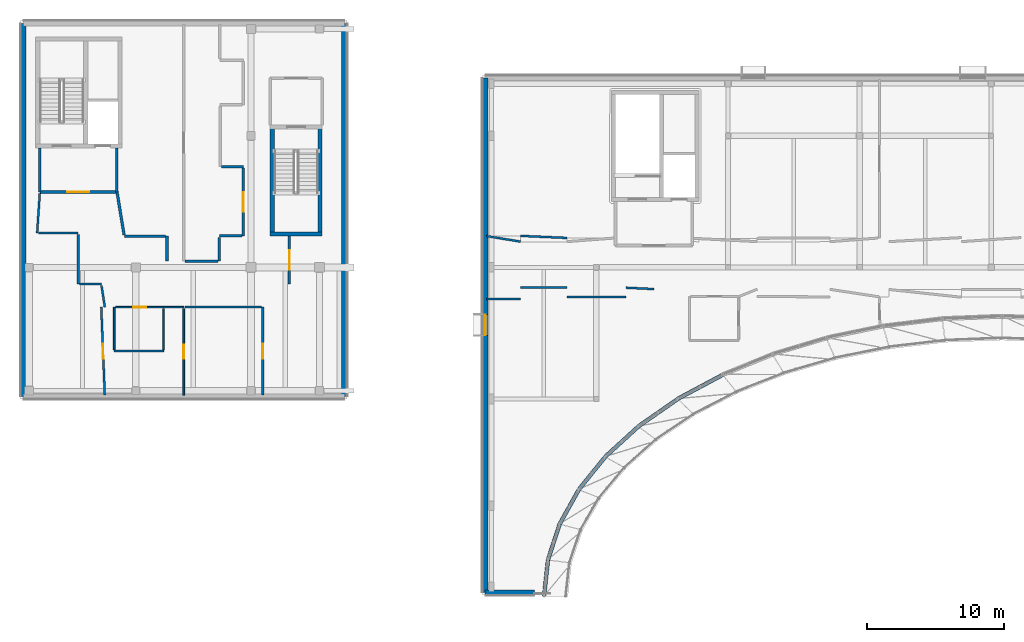
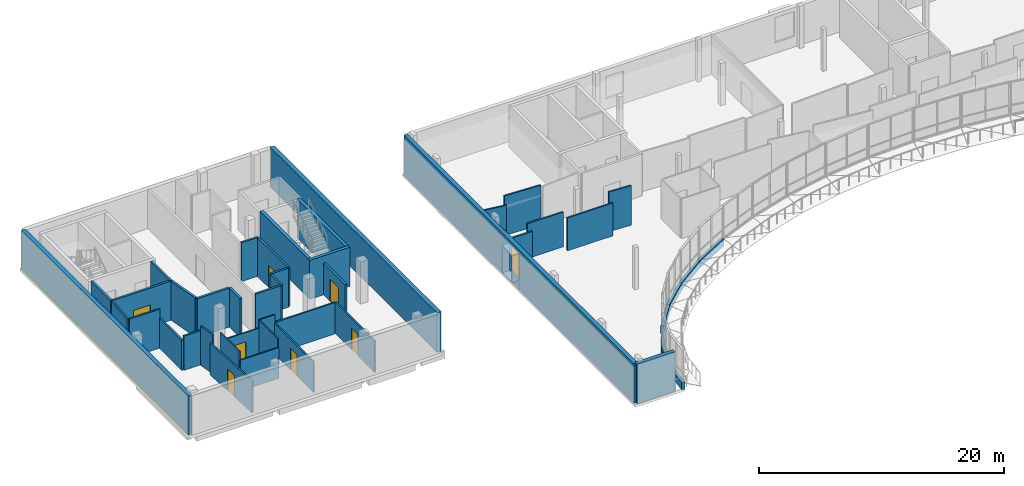
# One storey, part 11 of 18: 46 walls, 7 doors, 1 window, 8 openings.
"""IFC4 building model written with IfcOpenShell, lengths in metres."""

from ifc_helpers import new_model, si_unit, direction, frame, frame_2d, origin, place, context, subcontext, project, spatial, rectangle, extrude, material, layer, layer_set, type_object, element, fill, save


model = new_model("IFC4")

# Units and contexts
model_context = context("Model", 3, precision=1e-05, world=origin(), true_north=direction((0.0, 1.0)))
body_context = subcontext(model_context, "Body", "Model", "MODEL_VIEW")
ifc_project = project(units=[si_unit("LENGTHUNIT", "METRE"), si_unit("AREAUNIT", "SQUARE_METRE"), si_unit("VOLUMEUNIT", "CUBIC_METRE"), si_unit("PLANEANGLEUNIT", "RADIAN"), si_unit("MASSUNIT", "GRAM", prefix="KILO")], contexts=[model_context])

# Site, building, storey
site_placement = place(None, origin())
site = spatial("IfcSite", under=ifc_project, at=site_placement, CompositionType="ELEMENT")
building_placement = place(site_placement, origin())
building = spatial("IfcBuilding", under=site, at=building_placement, Name="Mzevani Central Library", CompositionType="ELEMENT")
storey_placement = place(building_placement, frame((0.0, 0.0, 18.300048828125)))
storey = spatial("IfcBuildingStorey", under=building, at=storey_placement, Name="L04", CompositionType="ELEMENT", Elevation=18.300048828125)

# Wall
ifc_material_1 = material(Name="Concrete C35/45", Category="concrete")
ifc_layer_1 = layer(ifc_material_1, 0.199951171875, Name="Compartment Wall 200")
ifc_layer_set_1 = layer_set([ifc_layer_1], Name="Concrete C35/45")
wall_type_1 = type_object("IfcWallType", Name="Compartment Wall 200", PredefinedType="STANDARD", material=ifc_layer_set_1)
wall_1_placement = place(storey_placement, frame((13.800048828125, 108.699951171875, 0.0), z_axis=(0.0, 0.0, 1.0), x_axis=(0.0, -1.0, 0.0)))
element("IfcWall", 1, at=wall_1_placement, inside=storey, type_object=wall_type_1, Name="L04 Firefighting Stair and Lift Lobby C2A Enclosure Wall 1", PredefinedType="STANDARD", context=body_context, shape_type="SweptSolid", body=[
    extrude(rectangle(XDim=3.199951171875, YDim=0.199951171875, at=frame_2d((1.60009765625, 0.0))), origin(), (0.0, 0.0, 1.0), 3.8798828125),
])

# Wall, opening, door
wall_2_placement = place(storey_placement, frame((13.800048828125, 105.5, 0.0), z_axis=(0.0, 0.0, 1.0), x_axis=(1.0, 0.0, 0.0)))
wall_2 = element("IfcWall", 2, at=wall_2_placement, inside=storey, type_object=wall_type_1, Name="L04 Firefighting Stair and Lift Lobby C2A Enclosure Wall 2", PredefinedType="STANDARD", context=body_context, shape_type="SweptSolid", body=[
    extrude(rectangle(XDim=5.599853515625, YDim=0.199951171875, at=frame_2d((2.7998046875, 0.0))), origin(), (0.0, 0.0, 1.0), 3.8798828125),
])
opening_1_placement = place(wall_2_placement, frame((2.0, 0.0, 0.0)))
opening_1 = element("IfcOpeningElement", 3, at=opening_1_placement, cuts=wall_2, Name="Opening FD-02", PredefinedType="OPENING", context=body_context, shape_type="SweptSolid", body=[
    extrude(rectangle(XDim=1.60009765625, YDim=2.199951171875, at=frame_2d((0.800048828125, 1.10009765625))), frame((0.0, 0.10986328125, 0.0), z_axis=(0.0, -1.0, 0.0), x_axis=(1.0, 0.0, 0.0)), (0.0, 0.0, 1.0), 0.219970703125),
])
ifc_material_2 = material(Name="Fire-rated steel door assembly", Category="steel")
door_type_1 = type_object("IfcDoorType", Name="Fire Lobby Double Door 1600x2200", OperationType="NOTDEFINED", PredefinedType="DOOR", material=ifc_material_2)
door_1_placement = place(opening_1_placement, origin())
door_1 = element("IfcDoor", 4, at=door_1_placement, inside=storey, type_object=door_type_1, Name="L04 Firefighting Stair and Lift Lobby C2A Smoke-Control Door", OperationType="DOUBLE_DOOR_SINGLE_SWING", OverallHeight=2.199951171875, OverallWidth=1.60009765625, PredefinedType="DOOR", context=body_context, shape_type="SweptSolid", body=[
    extrude(rectangle(XDim=1.60009765625, YDim=2.199951171875, at=frame_2d((0.800048828125, 1.10009765625))), frame((0.0, 0.02490234375, 0.0), z_axis=(0.0, -1.0, 0.0), x_axis=(1.0, 0.0, 0.0)), (0.0, 0.0, 1.0), 0.050048828125),
])
fill(opening_1, door_1)

# Walls
wall_3_placement = place(storey_placement, frame((19.39990234375, 105.5, 0.0), z_axis=(0.0, 0.0, 1.0), x_axis=(0.0, 1.0, 0.0)))
element("IfcWall", 5, at=wall_3_placement, inside=storey, type_object=wall_type_1, Name="L04 Firefighting Stair and Lift Lobby C2A Enclosure Wall 3", PredefinedType="STANDARD", context=body_context, shape_type="SweptSolid", body=[
    extrude(rectangle(XDim=3.199951171875, YDim=0.199951171875, at=frame_2d((1.60009765625, 0.0))), origin(), (0.0, 0.0, 1.0), 3.8798828125),
])
wall_4_placement = place(storey_placement, frame((23.074951171875, 100.4599609375, 0.0), z_axis=(0.0, 0.0, 1.0), x_axis=(0.0, 1.0, 0.0)))
element("IfcWall", 6, at=wall_4_placement, inside=storey, type_object=wall_type_1, Name="L04 V2 Partition IW-COMP (563)", PredefinedType="STANDARD", context=body_context, shape_type="SweptSolid", body=[
    extrude(rectangle(XDim=1.81494140625, YDim=0.199951171875, at=frame_2d((0.907470703125, 0.0))), origin(), (0.0, 0.0, 1.0), 3.8798828125),
])
wall_5_placement = place(storey_placement, frame((22.97509765625, 102.27490234375, 0.0), z_axis=(0.0, 0.0, 1.0), x_axis=(-1.0, 0.0, 0.0)))
element("IfcWall", 7, at=wall_5_placement, inside=storey, type_object=wall_type_1, Name="L04 V2 Partition IW-COMP (564)", PredefinedType="STANDARD", context=body_context, shape_type="SweptSolid", body=[
    extrude(rectangle(XDim=3.01513671875, YDim=0.199951171875, at=frame_2d((1.507568359375, 0.0))), origin(), (0.0, 0.0, 1.0), 3.8798828125),
])
wall_6_placement = place(storey_placement, frame((19.94384765625, 102.373779296875, 0.0), z_axis=(0.0, 0.0, 1.0), x_axis=(-0.162303771926, 0.986740840149, 0.0)))
element("IfcWall", 8, at=wall_6_placement, inside=storey, type_object=wall_type_1, Name="L04 V2 Partition IW-COMP (565)", PredefinedType="STANDARD", context=body_context, shape_type="SweptSolid", body=[
    extrude(rectangle(XDim=3.250732421875, YDim=0.199951171875, at=frame_2d((1.62548828125, 0.0))), origin(), (0.0, 0.0, 1.0), 3.8798828125),
])

# Wall, opening, door
wall_7_placement = place(storey_placement, frame((32.0, 98.780029296875, 0.0), z_axis=(0.0, 0.0, 1.0), x_axis=(0.0, 1.0, 0.0)))
wall_7 = element("IfcWall", 9, at=wall_7_placement, inside=storey, type_object=wall_type_1, Name="L04 V2 Partition IW-COMP (581)", PredefinedType="STANDARD", context=body_context, shape_type="SweptSolid", body=[
    extrude(rectangle(XDim=3.52001953125, YDim=0.199951171875, at=frame_2d((1.760009765625, 0.0))), origin(), (0.0, 0.0, 1.0), 3.159912109375),
])
opening_2_placement = place(wall_7_placement, frame((1.034912109375, 0.0, 0.0)))
opening_2 = element("IfcOpeningElement", 10, at=opening_2_placement, cuts=wall_7, Name="Opening FD-03", PredefinedType="OPENING", context=body_context, shape_type="SweptSolid", body=[
    extrude(rectangle(XDim=1.449951171875, YDim=2.199951171875, at=frame_2d((0.72509765625, 1.10009765625))), frame((0.0, 0.10986328125, 0.0), z_axis=(0.0, -1.0, 0.0), x_axis=(1.0, 0.0, 0.0)), (0.0, 0.0, 1.0), 0.219970703125),
])
door_type_2 = type_object("IfcDoorType", Name="Archival Vault Fire Door 1450x2200", OperationType="NOTDEFINED", PredefinedType="DOOR", material=ifc_material_2)
door_2_placement = place(opening_2_placement, origin())
door_2 = element("IfcDoor", 11, at=door_2_placement, inside=storey, type_object=door_type_2, Name="L04 Photographic and Film Cold Archive 3 Door", OperationType="DOUBLE_DOOR_SINGLE_SWING", OverallHeight=2.199951171875, OverallWidth=1.449951171875, PredefinedType="DOOR", context=body_context, shape_type="SweptSolid", body=[
    extrude(rectangle(XDim=1.449951171875, YDim=2.199951171875, at=frame_2d((0.72509765625, 1.10009765625))), frame((0.0, 0.02490234375, 0.0), z_axis=(0.0, -1.0, 0.0), x_axis=(1.0, 0.0, 0.0)), (0.0, 0.0, 1.0), 0.050048828125),
])
fill(opening_2, door_2)

# Walls
ifc_material_3 = material(Name="Concrete C40/50", Category="concrete")
ifc_layer_2 = layer(ifc_material_3, 0.300048828125, Name="Core Shear Wall 300")
ifc_layer_set_2 = layer_set([ifc_layer_2], Name="Concrete C40/50")
wall_type_2 = type_object("IfcWallType", Name="Core Shear Wall 300", PredefinedType="SHEAR", material=ifc_layer_set_2)
wall_8_placement = place(storey_placement, frame((34.39990234375, 102.449951171875, 0.0), z_axis=(0.0, 0.0, 1.0), x_axis=(-1.0, 0.0, 0.0)))
element("IfcWall", 12, at=wall_8_placement, inside=storey, type_object=wall_type_2, Name="L04 Core C2B Stacks East Escape Stair Shear Wall (-y)", PredefinedType="SHEAR", context=body_context, shape_type="SweptSolid", body=[
    extrude(rectangle(XDim=3.7998046875, YDim=0.300048828125, at=frame_2d((1.89990234375, 0.0))), origin(), (0.0, 0.0, 1.0), 3.8798828125),
])
for number, where, z_axis, x_axis, name in (
    (13, (30.75, 102.300048828125, 0.0), (0.0, 0.0, 1.0), (0.0, 1.0, 0.0), "L04 Core C2B Stacks East Escape Stair Shear Wall (-x)"),
    (14, (34.25, 110.39990234375, 0.0), (0.0, 0.0, 1.0), (0.0, -1.0, 0.0), "L04 Core C2B Stacks East Escape Stair Shear Wall (+x)"),
):
    element("IfcWall", number, at=place(storey_placement, frame(where, z_axis=z_axis, x_axis=x_axis)), inside=storey, type_object=wall_type_2, Name=name, PredefinedType="SHEAR", context=body_context, shape_type="SweptSolid", body=[
        extrude(rectangle(XDim=8.099853515625, YDim=0.300048828125, at=frame_2d((4.0498046875, 0.0))), origin(), (0.0, 0.0, 1.0), 3.8798828125),
    ])
ifc_material_4 = material(Name="Precast concrete C40/50", Category="concrete")
ifc_layer_3 = layer(ifc_material_4, 0.280029296875, Name="Court Spandrel Wall 280")
ifc_layer_set_3 = layer_set([ifc_layer_3], Name="Precast concrete C40/50")
wall_type_3 = type_object("IfcWallType", Name="Court Spandrel Wall 280", PredefinedType="STANDARD", material=ifc_layer_set_3)
wall_9_placement = place(storey_placement, frame((63.6083984375, 92.160888671875, 0.0), z_axis=(0.0, 0.0, 1.0), x_axis=(-0.882155666932, -0.470957937931, 0.0)))
element("IfcWall", 15, at=wall_9_placement, inside=storey, type_object=wall_type_3, Name="L04 Elliptical Court Spandrel 18", PredefinedType="STANDARD", context=body_context, shape_type="SweptSolid", body=[
    extrude(rectangle(XDim=3.701416015625, YDim=0.280029296875, at=frame_2d((1.8505859375, 0.0))), origin(), (0.0, 0.0, 1.0), 0.719970703125),
])
wall_10_placement = place(storey_placement, frame((60.330078125, 90.39599609375, 0.0), z_axis=(0.0, 0.0, 1.0), x_axis=(-0.821472948996, -0.570247484929, 0.0)))
element("IfcWall", 16, at=wall_10_placement, inside=storey, type_object=wall_type_3, Name="L04 Elliptical Court Spandrel 19", PredefinedType="STANDARD", context=body_context, shape_type="SweptSolid", body=[
    extrude(rectangle(XDim=3.48583984375, YDim=0.280029296875, at=frame_2d((1.742919921875, 0.0))), origin(), (0.0, 0.0, 1.0), 0.719970703125),
])
wall_11_placement = place(storey_placement, frame((57.456787109375, 88.387451171875, 0.0), z_axis=(0.0, 0.0, 1.0), x_axis=(-0.739181441523, -0.673506344816, 0.0)))
element("IfcWall", 17, at=wall_11_placement, inside=storey, type_object=wall_type_3, Name="L04 Elliptical Court Spandrel 20", PredefinedType="STANDARD", context=body_context, shape_type="SweptSolid", body=[
    extrude(rectangle(XDim=3.263916015625, YDim=0.280029296875, at=frame_2d((1.6318359375, 0.0))), origin(), (0.0, 0.0, 1.0), 0.719970703125),
])
wall_12_placement = place(storey_placement, frame((55.037109375, 86.16943359375, 0.0), z_axis=(0.0, 0.0, 1.0), x_axis=(-0.629396137439, -0.777084617128, 0.0)))
element("IfcWall", 18, at=wall_12_placement, inside=storey, type_object=wall_type_3, Name="L04 Elliptical Court Spandrel 21", PredefinedType="STANDARD", context=body_context, shape_type="SweptSolid", body=[
    extrude(rectangle(XDim=3.051513671875, YDim=0.280029296875, at=frame_2d((1.52587890625, 0.0))), origin(), (0.0, 0.0, 1.0), 0.719970703125),
])
wall_13_placement = place(storey_placement, frame((53.11181640625, 83.779296875, 0.0), z_axis=(0.0, 0.0, 1.0), x_axis=(-0.487030832261, -0.873384776846, 0.0)))
element("IfcWall", 19, at=wall_13_placement, inside=storey, type_object=wall_type_3, Name="L04 Elliptical Court Spandrel 22", PredefinedType="STANDARD", context=body_context, shape_type="SweptSolid", body=[
    extrude(rectangle(XDim=2.866455078125, YDim=0.280029296875, at=frame_2d((1.43310546875, 0.0))), origin(), (0.0, 0.0, 1.0), 0.719970703125),
])
wall_14_placement = place(storey_placement, frame((51.712890625, 81.2578125, 0.0), z_axis=(0.0, 0.0, 1.0), x_axis=(-0.310637787486, -0.950528360958, 0.0)))
element("IfcWall", 20, at=wall_14_placement, inside=storey, type_object=wall_type_3, Name="L04 Elliptical Court Spandrel 23", PredefinedType="STANDARD", context=body_context, shape_type="SweptSolid", body=[
    extrude(rectangle(XDim=2.72802734375, YDim=0.280029296875, at=frame_2d((1.364013671875, 0.0))), origin(), (0.0, 0.0, 1.0), 0.719970703125),
])
wall_15_placement = place(storey_placement, frame((50.8642578125, 78.64697265625, 0.0), z_axis=(0.0, 0.0, 1.0), x_axis=(-0.107098386967, -0.994248427461, 0.0)))
element("IfcWall", 21, at=wall_15_placement, inside=storey, type_object=wall_type_3, Name="L04 Elliptical Court Spandrel 24", PredefinedType="STANDARD", context=body_context, shape_type="SweptSolid", body=[
    extrude(rectangle(XDim=2.653564453125, YDim=0.280029296875, at=frame_2d((1.32666015625, 0.0))), origin(), (0.0, 0.0, 1.0), 0.719970703125),
])
ifc_layer_4 = layer(ifc_material_4, 0.3798828125, Name="Exterior Thermal Concrete Wall 380")
ifc_layer_set_4 = layer_set([ifc_layer_4], Name="Precast concrete C40/50")
wall_type_4 = type_object("IfcWallType", Name="Exterior Thermal Concrete Wall 380", PredefinedType="STANDARD", material=ifc_layer_set_4)
wall_16_placement = place(storey_placement, frame((12.590087890625, 90.590087890625, 0.0), z_axis=(0.0, 0.0, 1.0), x_axis=(0.0, 1.0, 0.0)))
element("IfcWall", 22, at=wall_16_placement, inside=storey, type_object=wall_type_4, Name="L04 V2 Exterior Thermal Wall (33)", PredefinedType="STANDARD", context=body_context, shape_type="SweptSolid", body=[
    extrude(rectangle(XDim=27.219970703125, YDim=0.3798828125, at=frame_2d((13.60986328125, 0.0))), origin(), (0.0, 0.0, 1.0), 3.8798828125),
])
wall_17_placement = place(storey_placement, frame((36.010009765625, 117.81005859375, 0.0), z_axis=(0.0, 0.0, 1.0), x_axis=(0.0, -1.0, 0.0)))
element("IfcWall", 23, at=wall_17_placement, inside=storey, type_object=wall_type_4, Name="L04 V2 Exterior Thermal Wall (35)", PredefinedType="STANDARD", context=body_context, shape_type="SweptSolid", body=[
    extrude(rectangle(XDim=27.219970703125, YDim=0.3798828125, at=frame_2d((13.60986328125, 0.0))), origin(), (0.0, 0.0, 1.0), 3.93994140625),
])

# Wall, opening, window
wall_18_placement = place(storey_placement, frame((46.2900390625, 76.2900390625, 0.0), z_axis=(0.0, 0.0, 1.0), x_axis=(0.0, 1.0, 0.0)))
wall_18 = element("IfcWall", 24, at=wall_18_placement, inside=storey, type_object=wall_type_4, Name="L04 V3 Exterior Thermal Wall (68)", PredefinedType="STANDARD", context=body_context, shape_type="SweptSolid", body=[
    extrude(rectangle(XDim=37.52001953125, YDim=0.3798828125, at=frame_2d((18.760009765625, 0.0))), origin(), (0.0, 0.0, 1.0), 3.93994140625),
])
opening_3_placement = place(wall_18_placement, frame((18.760498046875, 0.0, 0.9599609375)))
opening_3 = element("IfcOpeningElement", 25, at=opening_3_placement, cuts=wall_18, Name="Opening W-12", PredefinedType="OPENING", context=body_context, shape_type="SweptSolid", body=[
    extrude(rectangle(XDim=1.5, YDim=2.60009765625, at=frame_2d((0.75, 1.300048828125))), frame((0.0, 0.199951171875, 0.0), z_axis=(0.0, -1.0, 0.0), x_axis=(1.0, 0.0, 0.0)), (0.0, 0.0, 1.0), 0.39990234375),
])
ifc_material_5 = material(Name="Low-E triple glazing glass", Category="glass")
window_type = type_object("IfcWindowType", Name="Deep Reveal Window 1500x2600", PartitioningType="SINGLE_PANEL", PredefinedType="WINDOW", material=ifc_material_5)
window_placement = place(opening_3_placement, origin())
window = element("IfcWindow", 26, at=window_placement, inside=storey, type_object=window_type, Name="L04 V3 Deep-Reveal Window W-12 (131)", OverallHeight=2.60009765625, OverallWidth=1.5, PartitioningType="SINGLE_PANEL", PredefinedType="WINDOW", context=body_context, shape_type="SweptSolid", body=[
    extrude(rectangle(XDim=1.5, YDim=2.60009765625, at=frame_2d((0.75, 1.300048828125))), frame((0.0, 0.030029296875, 0.0), z_axis=(0.0, -1.0, 0.0), x_axis=(1.0, 0.0, 0.0)), (0.0, 0.0, 1.0), 0.06005859375),
])
fill(opening_3, window)

# Walls
wall_19_placement = place(storey_placement, frame((49.875732421875, 76.2900390625, 0.0), z_axis=(0.0, 0.0, 1.0), x_axis=(-1.0, 0.0, 0.0)))
element("IfcWall", 27, at=wall_19_placement, inside=storey, type_object=wall_type_4, Name="L04 V3 Exterior Thermal Wall (71)", PredefinedType="STANDARD", context=body_context, shape_type="SweptSolid", body=[
    extrude(rectangle(XDim=3.585693359375, YDim=0.3798828125, at=frame_2d((1.79296875, 0.0))), origin(), (0.0, 0.0, 1.0), 3.93994140625),
])
ifc_material_6 = material(Name="Fire-rated gypsum board", Category="gypsum")
ifc_layer_5 = layer(ifc_material_6, 0.1201171875, Name="Partition Acoustic 120")
ifc_layer_set_5 = layer_set([ifc_layer_5], Name="Fire-rated gypsum board")
wall_type_5 = type_object("IfcWallType", Name="Partition Acoustic 120", PredefinedType="PARTITIONING", material=ifc_layer_set_5)
wall_20_placement = place(storey_placement, frame((22.824951171875, 93.89990234375, 0.0), z_axis=(0.0, 0.0, 1.0), x_axis=(-1.0, 0.0, 0.0)))
element("IfcWall", 28, at=wall_20_placement, inside=storey, type_object=wall_type_5, Name="L04 V2 Partition IW-02 (553)", PredefinedType="PARTITIONING", context=body_context, shape_type="SweptSolid", body=[
    extrude(rectangle(XDim=3.599853515625, YDim=0.1201171875, at=frame_2d((1.7998046875, 0.0))), origin(), (0.0, 0.0, 1.0), 3.070068359375),
])
wall_21_placement = place(storey_placement, frame((19.22509765625, 94.0, 0.0), z_axis=(0.0, 0.0, 1.0), x_axis=(0.0, 1.0, 0.0)))
element("IfcWall", 29, at=wall_21_placement, inside=storey, type_object=wall_type_5, Name="L04 V2 Partition IW-02 (554)", PredefinedType="PARTITIONING", context=body_context, shape_type="SweptSolid", body=[
    extrude(rectangle(XDim=3.10009765625, YDim=0.1201171875, at=frame_2d((1.550048828125, 0.0))), origin(), (0.0, 0.0, 1.0), 3.8798828125),
])

# Wall, opening, door
wall_22_placement = place(storey_placement, frame((19.324951171875, 97.10009765625, 0.0), z_axis=(0.0, 0.0, 1.0), x_axis=(1.0, 0.0, 0.0)))
wall_22 = element("IfcWall", 30, at=wall_22_placement, inside=storey, type_object=wall_type_5, Name="L04 V2 Partition IW-02 (555)", PredefinedType="PARTITIONING", context=body_context, shape_type="SweptSolid", body=[
    extrude(rectangle(XDim=3.5, YDim=0.1201171875, at=frame_2d((1.75, 0.0))), origin(), (0.0, 0.0, 1.0), 3.070068359375),
])
opening_4_placement = place(wall_22_placement, frame((1.27490234375, 0.0, 0.0)))
opening_4 = element("IfcOpeningElement", 31, at=opening_4_placement, cuts=wall_22, Name="Opening ID-02", PredefinedType="OPENING", context=body_context, shape_type="SweptSolid", body=[
    extrude(rectangle(XDim=0.949951171875, YDim=2.14990234375, at=frame_2d((0.47509765625, 1.074951171875))), frame((0.0, 0.070068359375, 0.0), z_axis=(0.0, -1.0, 0.0), x_axis=(1.0, 0.0, 0.0)), (0.0, 0.0, 1.0), 0.14013671875),
])
ifc_material_7 = material(Name="Fire-rated solid oak leaf")
door_type_3 = type_object("IfcDoorType", Name="Accessible WC Door 950x2150", OperationType="NOTDEFINED", PredefinedType="DOOR", material=ifc_material_7)
door_3_placement = place(opening_4_placement, origin())
door_3 = element("IfcDoor", 32, at=door_3_placement, inside=storey, type_object=door_type_3, Name="L04 Accessible WC and Public Toilet V2 Door", OperationType="SINGLE_SWING_LEFT", OverallHeight=2.14990234375, OverallWidth=0.949951171875, PredefinedType="DOOR", context=body_context, shape_type="SweptSolid", body=[
    extrude(rectangle(XDim=0.949951171875, YDim=2.14990234375, at=frame_2d((0.47509765625, 1.074951171875))), frame((0.0, 0.02490234375, 0.0), z_axis=(0.0, -1.0, 0.0), x_axis=(1.0, 0.0, 0.0)), (0.0, 0.0, 1.0), 0.050048828125),
])
fill(opening_4, door_3)

# Walls
wall_23_placement = place(storey_placement, frame((22.824951171875, 97.0, 0.0), z_axis=(0.0, 0.0, 1.0), x_axis=(0.0, -1.0, 0.0)))
element("IfcWall", 33, at=wall_23_placement, inside=storey, type_object=wall_type_5, Name="L04 V2 Partition IW-02 (556)", PredefinedType="PARTITIONING", context=body_context, shape_type="SweptSolid", body=[
    extrude(rectangle(XDim=3.0, YDim=0.1201171875, at=frame_2d((1.5, 0.0))), origin(), (0.0, 0.0, 1.0), 3.8798828125),
])
wall_24_placement = place(storey_placement, frame((22.824951171875, 97.10009765625, 0.0), z_axis=(0.0, 0.0, 1.0), x_axis=(1.0, 0.0, 0.0)))
element("IfcWall", 34, at=wall_24_placement, inside=storey, type_object=wall_type_5, Name="L04 V2 Partition IW-02 (567)", PredefinedType="PARTITIONING", context=body_context, shape_type="SweptSolid", body=[
    extrude(rectangle(XDim=1.47509765625, YDim=0.1201171875, at=frame_2d((0.737548828125, 0.0))), origin(), (0.0, 0.0, 1.0), 3.8798828125),
])

# Wall, opening, door
wall_25_placement = place(storey_placement, frame((24.300048828125, 97.0, 0.0), z_axis=(0.0, 0.0, 1.0), x_axis=(0.0, -1.0, 0.0)))
wall_25 = element("IfcWall", 35, at=wall_25_placement, inside=storey, type_object=wall_type_5, Name="L04 V2 Partition IW-02 (568)", PredefinedType="PARTITIONING", context=body_context, shape_type="SweptSolid", body=[
    extrude(rectangle(XDim=6.31005859375, YDim=0.1201171875, at=frame_2d((3.155029296875, 0.0))), origin(), (0.0, 0.0, 1.0), 3.070068359375),
])
opening_5_placement = place(wall_25_placement, frame((2.6298828125, 0.0, 0.0)))
opening_5 = element("IfcOpeningElement", 36, at=opening_5_placement, cuts=wall_25, Name="Opening ID-05", PredefinedType="OPENING", context=body_context, shape_type="SweptSolid", body=[
    extrude(rectangle(XDim=1.050048828125, YDim=2.14990234375, at=frame_2d((0.52490234375, 1.074951171875))), frame((0.0, 0.070068359375, 0.0), z_axis=(0.0, -1.0, 0.0), x_axis=(1.0, 0.0, 0.0)), (0.0, 0.0, 1.0), 0.14013671875),
])
door_type_4 = type_object("IfcDoorType", Name="Conservation Lab Door 1050x2150", OperationType="NOTDEFINED", PredefinedType="DOOR", material=ifc_material_7)
door_4_placement = place(opening_5_placement, origin())
door_4 = element("IfcDoor", 37, at=door_4_placement, inside=storey, type_object=door_type_4, Name="L04 Conservation Chemistry Lab Door", OperationType="SINGLE_SWING_LEFT", OverallHeight=2.14990234375, OverallWidth=1.050048828125, PredefinedType="DOOR", context=body_context, shape_type="SweptSolid", body=[
    extrude(rectangle(XDim=1.050048828125, YDim=2.14990234375, at=frame_2d((0.52490234375, 1.074951171875))), frame((0.0, 0.02490234375, 0.0), z_axis=(0.0, -1.0, 0.0), x_axis=(1.0, 0.0, 0.0)), (0.0, 0.0, 1.0), 0.050048828125),
])
fill(opening_5, door_4)

# Walls
ifc_layer_6 = layer(ifc_material_6, 0.14990234375, Name="Partition Study 150")
ifc_layer_set_6 = layer_set([ifc_layer_6], Name="Fire-rated gypsum board")
wall_type_6 = type_object("IfcWallType", Name="Partition Study 150", PredefinedType="PARTITIONING", material=ifc_layer_set_6)
wall_26_placement = place(storey_placement, frame((13.793212890625, 105.400146484375, 0.0), z_axis=(0.0, 0.0, 1.0), x_axis=(-0.066440960793, -0.997790358106, 0.0)))
element("IfcWall", 38, at=wall_26_placement, inside=storey, type_object=wall_type_6, Name="L04 V2 Partition IW-03 (557)", PredefinedType="PARTITIONING", context=body_context, shape_type="SweptSolid", body=[
    extrude(rectangle(XDim=2.906494140625, YDim=0.14990234375, at=frame_2d((1.453125, 0.0))), origin(), (0.0, 0.0, 1.0), 3.8798828125),
])
wall_27_placement = place(storey_placement, frame((13.699951171875, 102.5, 0.0), z_axis=(0.0, 0.0, 1.0), x_axis=(1.0, 0.0, 0.0)))
element("IfcWall", 39, at=wall_27_placement, inside=storey, type_object=wall_type_6, Name="L04 V2 Partition IW-03 (558)", PredefinedType="PARTITIONING", context=body_context, shape_type="SweptSolid", body=[
    extrude(rectangle(XDim=2.900146484375, YDim=0.14990234375, at=frame_2d((1.4501953125, 0.0))), origin(), (0.0, 0.0, 1.0), 3.8798828125),
])
wall_28_placement = place(storey_placement, frame((16.60009765625, 102.39990234375, 0.0), z_axis=(0.0, 0.0, 1.0), x_axis=(0.0, -1.0, 0.0)))
element("IfcWall", 40, at=wall_28_placement, inside=storey, type_object=wall_type_6, Name="L04 V2 Partition IW-03 (559)", PredefinedType="PARTITIONING", context=body_context, shape_type="SweptSolid", body=[
    extrude(rectangle(XDim=3.619873046875, YDim=0.14990234375, at=frame_2d((1.81005859375, 0.0))), origin(), (0.0, 0.0, 1.0), 3.010009765625),
])
wall_29_placement = place(storey_placement, frame((16.699951171875, 98.780029296875, 0.0), z_axis=(0.0, 0.0, 1.0), x_axis=(1.0, 0.0, 0.0)))
element("IfcWall", 41, at=wall_29_placement, inside=storey, type_object=wall_type_6, Name="L04 V2 Partition IW-03 (560)", PredefinedType="PARTITIONING", context=body_context, shape_type="SweptSolid", body=[
    extrude(rectangle(XDim=1.580078125, YDim=0.14990234375, at=frame_2d((0.7900390625, 0.0))), origin(), (0.0, 0.0, 1.0), 3.39990234375),
])
wall_30_placement = place(storey_placement, frame((18.29541015625, 98.68115234375, 0.0), z_axis=(0.0, 0.0, 1.0), x_axis=(0.152905692797, -0.988240784986, 0.0)))
element("IfcWall", 42, at=wall_30_placement, inside=storey, type_object=wall_type_6, Name="L04 V2 Partition IW-03 (561)", PredefinedType="PARTITIONING", context=body_context, shape_type="SweptSolid", body=[
    extrude(rectangle(XDim=1.599853515625, YDim=0.14990234375, at=frame_2d((0.7998046875, 0.0))), origin(), (0.0, 0.0, 1.0), 3.8798828125),
])

# Wall, opening, door
wall_31_placement = place(storey_placement, frame((18.280029296875, 97.10009765625, 0.0), z_axis=(0.0, 0.0, 1.0), x_axis=(0.039882928426, -0.999204359488, 0.0)))
wall_31 = element("IfcWall", 43, at=wall_31_placement, inside=storey, type_object=wall_type_6, Name="L04 V2 Partition IW-03 (562)", PredefinedType="PARTITIONING", context=body_context, shape_type="SweptSolid", body=[
    extrude(rectangle(XDim=6.415283203125, YDim=0.14990234375, at=frame_2d((3.20751953125, 0.0))), origin(), (0.0, 0.0, 1.0), 3.169921875),
])
opening_6_placement = place(wall_31_placement, frame((2.65771484375, 0.0, 0.0)))
opening_6 = element("IfcOpeningElement", 44, at=opening_6_placement, cuts=wall_31, Name="Opening FD-04", PredefinedType="OPENING", context=body_context, shape_type="SweptSolid", body=[
    extrude(rectangle(XDim=1.10009765625, YDim=2.14990234375, at=frame_2d((0.550048828125, 1.074951171875))), frame((0.0, 0.0849609375, 0.0), z_axis=(0.0, -1.0, 0.0), x_axis=(1.0, 0.0, 0.0)), (0.0, 0.0, 1.0), 0.169921875),
])
door_type_5 = type_object("IfcDoorType", Name="Fire Compartment Door 1100x2150", OperationType="NOTDEFINED", PredefinedType="DOOR", material=ifc_material_2)
door_5_placement = place(opening_6_placement, origin())
door_5 = element("IfcDoor", 45, at=door_5_placement, inside=storey, type_object=door_type_5, Name="L04 National Legal Deposit Compact Stacks Door", OperationType="SINGLE_SWING_RIGHT", OverallHeight=2.14990234375, OverallWidth=1.10009765625, PredefinedType="DOOR", context=body_context, shape_type="SweptSolid", body=[
    extrude(rectangle(XDim=1.10009765625, YDim=2.14990234375, at=frame_2d((0.550048828125, 1.074951171875))), frame((0.0, 0.02490234375, 0.0), z_axis=(0.0, -1.0, 0.0), x_axis=(1.0, 0.0, 0.0)), (0.0, 0.0, 1.0), 0.050048828125),
])
fill(opening_6, door_5)

wall_32_placement = place(storey_placement, frame((30.06005859375, 97.10009765625, 0.0), z_axis=(0.0, 0.0, 1.0), x_axis=(0.0, -1.0, 0.0)))
wall_32 = element("IfcWall", 46, at=wall_32_placement, inside=storey, type_object=wall_type_6, Name="L04 V2 Partition IW-03 (579)", PredefinedType="PARTITIONING", context=body_context, shape_type="SweptSolid", body=[
    extrude(rectangle(XDim=6.41015625, YDim=0.14990234375, at=frame_2d((3.205078125, 0.0))), origin(), (0.0, 0.0, 1.0), 3.119873046875),
])
opening_7_placement = place(wall_32_placement, frame((2.655029296875, 0.0, 0.0)))
opening_7 = element("IfcOpeningElement", 47, at=opening_7_placement, cuts=wall_32, Name="Opening FD-04", PredefinedType="OPENING", context=body_context, shape_type="SweptSolid", body=[
    extrude(rectangle(XDim=1.10009765625, YDim=2.14990234375, at=frame_2d((0.550048828125, 1.074951171875))), frame((0.0, 0.0849609375, 0.0), z_axis=(0.0, -1.0, 0.0), x_axis=(1.0, 0.0, 0.0)), (0.0, 0.0, 1.0), 0.169921875),
])
door_6_placement = place(opening_7_placement, origin())
door_6 = element("IfcDoor", 48, at=door_6_placement, inside=storey, type_object=door_type_5, Name="L04 National Legal Deposit Compact Stacks 2 Door", OperationType="SINGLE_SWING_RIGHT", OverallHeight=2.14990234375, OverallWidth=1.10009765625, PredefinedType="DOOR", context=body_context, shape_type="SweptSolid", body=[
    extrude(rectangle(XDim=1.10009765625, YDim=2.14990234375, at=frame_2d((0.550048828125, 1.074951171875))), frame((0.0, 0.02490234375, 0.0), z_axis=(0.0, -1.0, 0.0), x_axis=(1.0, 0.0, 0.0)), (0.0, 0.0, 1.0), 0.050048828125),
])
fill(opening_7, door_6)

# Walls
wall_33_placement = place(storey_placement, frame((24.39990234375, 97.10009765625, 0.0), z_axis=(0.0, 0.0, 1.0), x_axis=(1.0, 0.0, 0.0)))
element("IfcWall", 49, at=wall_33_placement, inside=storey, type_object=wall_type_6, Name="L04 V2 Partition IW-03 (580)", PredefinedType="PARTITIONING", context=body_context, shape_type="SweptSolid", body=[
    extrude(rectangle(XDim=5.56005859375, YDim=0.14990234375, at=frame_2d((2.780029296875, 0.0))), origin(), (0.0, 0.0, 1.0), 3.119873046875),
])
wall_34_placement = place(storey_placement, frame((52.25, 102.14990234375, 0.0), z_axis=(0.0, 0.0, 1.0), x_axis=(-0.999011882222, 0.044443887989, 0.0)))
element("IfcWall", 50, at=wall_34_placement, inside=storey, type_object=wall_type_6, Name="L04 V3 Partition IW-03 (589)", PredefinedType="PARTITIONING", context=body_context, shape_type="SweptSolid", body=[
    extrude(rectangle(XDim=3.37841796875, YDim=0.14990234375, at=frame_2d((1.689208984375, 0.0))), origin(), (0.0, 0.0, 1.0), 3.93994140625),
])
wall_35_placement = place(storey_placement, frame((48.875, 101.8798828125, 0.0), z_axis=(0.0, 0.0, 1.0), x_axis=(-0.987051200119, 0.160405512195, 0.0)))
element("IfcWall", 51, at=wall_35_placement, inside=storey, type_object=wall_type_6, Name="L04 V3 Partition IW-03 (590)", PredefinedType="PARTITIONING", context=body_context, shape_type="SweptSolid", body=[
    extrude(rectangle(XDim=2.51904296875, YDim=0.14990234375, at=frame_2d((1.259521484375, 0.0))), origin(), (0.0, 0.0, 1.0), 3.27001953125),
])
wall_36_placement = place(storey_placement, frame((46.389892578125, 97.699951171875, 0.0), z_axis=(0.0, 0.0, 1.0), x_axis=(1.0, 0.0, 0.0)))
element("IfcWall", 52, at=wall_36_placement, inside=storey, type_object=wall_type_6, Name="L04 V3 Partition IW-03 (598)", PredefinedType="PARTITIONING", context=body_context, shape_type="SweptSolid", body=[
    extrude(rectangle(XDim=2.485107421875, YDim=0.14990234375, at=frame_2d((1.24267578125, 0.0))), origin(), (0.0, 0.0, 1.0), 3.219970703125),
])
wall_37_placement = place(storey_placement, frame((48.875, 98.52001953125, 0.0), z_axis=(0.0, 0.0, 1.0), x_axis=(1.0, 0.0, 0.0)))
element("IfcWall", 53, at=wall_37_placement, inside=storey, type_object=wall_type_6, Name="L04 V3 Partition IW-03 (599)", PredefinedType="PARTITIONING", context=body_context, shape_type="SweptSolid", body=[
    extrude(rectangle(XDim=3.375, YDim=0.14990234375, at=frame_2d((1.6875, 0.0))), origin(), (0.0, 0.0, 1.0), 3.469970703125),
])
wall_38_placement = place(storey_placement, frame((52.25, 97.85009765625, 0.0), z_axis=(0.0, 0.0, 1.0), x_axis=(1.0, 0.0, 0.0)))
element("IfcWall", 54, at=wall_38_placement, inside=storey, type_object=wall_type_6, Name="L04 V3 Partition IW-03 (600)", PredefinedType="PARTITIONING", context=body_context, shape_type="SweptSolid", body=[
    extrude(rectangle(XDim=4.300048828125, YDim=0.14990234375, at=frame_2d((2.14990234375, 0.0))), origin(), (0.0, 0.0, 1.0), 3.27001953125),
])
wall_39_placement = place(storey_placement, frame((56.550048828125, 98.52001953125, 0.0), z_axis=(0.0, 0.0, 1.0), x_axis=(0.998806688929, -0.048838490455, 0.0)))
element("IfcWall", 55, at=wall_39_placement, inside=storey, type_object=wall_type_6, Name="L04 V3 Partition IW-03 (601)", PredefinedType="PARTITIONING", context=body_context, shape_type="SweptSolid", body=[
    extrude(rectangle(XDim=2.049560546875, YDim=0.14990234375, at=frame_2d((1.02490234375, 0.0))), origin(), (0.0, 0.0, 1.0), 3.93994140625),
])
ifc_material_8 = material(Name="Concrete blockwork masonry", Category="masonry")
ifc_layer_7 = layer(ifc_material_8, 0.179931640625, Name="Shaft Enclosure Wall 180")
ifc_layer_set_7 = layer_set([ifc_layer_7], Name="Concrete blockwork masonry")
wall_type_7 = type_object("IfcWallType", Name="Shaft Enclosure Wall 180", PredefinedType="PARTITIONING", material=ifc_layer_set_7)
wall_40_placement = place(storey_placement, frame((27.050048828125, 107.35009765625, 0.0), z_axis=(0.0, 0.0, 1.0), x_axis=(1.0, 0.0, 0.0)))
element("IfcWall", 56, at=wall_40_placement, inside=storey, type_object=wall_type_7, Name="L04 V2 Partition IW-04 (573)", PredefinedType="PARTITIONING", context=body_context, shape_type="SweptSolid", body=[
    extrude(rectangle(XDim=1.58984375, YDim=0.179931640625, at=frame_2d((0.794921875, 0.0))), origin(), (0.0, 0.0, 1.0), 3.8798828125),
])

# Wall, opening, door
wall_41_placement = place(storey_placement, frame((28.639892578125, 107.25, 0.0), z_axis=(0.0, 0.0, 1.0), x_axis=(0.0, -1.0, 0.0)))
wall_41 = element("IfcWall", 57, at=wall_41_placement, inside=storey, type_object=wall_type_7, Name="L04 V2 Partition IW-04 (574)", PredefinedType="PARTITIONING", context=body_context, shape_type="SweptSolid", body=[
    extrude(rectangle(XDim=4.949951171875, YDim=0.179931640625, at=frame_2d((2.47509765625, 0.0))), origin(), (0.0, 0.0, 1.0), 3.8798828125),
])
opening_8_placement = place(wall_41_placement, frame((1.77490234375, 0.0, 0.0)))
opening_8 = element("IfcOpeningElement", 58, at=opening_8_placement, cuts=wall_41, Name="Opening ID-10", PredefinedType="OPENING", context=body_context, shape_type="SweptSolid", body=[
    extrude(rectangle(XDim=1.39990234375, YDim=2.199951171875, at=frame_2d((0.699951171875, 1.10009765625))), frame((0.0, 0.10009765625, 0.0), z_axis=(0.0, -1.0, 0.0), x_axis=(1.0, 0.0, 0.0)), (0.0, 0.0, 1.0), 0.199951171875),
])
door_type_6 = type_object("IfcDoorType", Name="Plant Room Double Door 1400x2200", OperationType="NOTDEFINED", PredefinedType="DOOR", material=ifc_material_2)
door_7_placement = place(opening_8_placement, origin())
door_7 = element("IfcDoor", 59, at=door_7_placement, inside=storey, type_object=door_type_6, Name="L04 Archive Systems Server Room Door", OperationType="DOUBLE_DOOR_SINGLE_SWING", OverallHeight=2.199951171875, OverallWidth=1.39990234375, PredefinedType="DOOR", context=body_context, shape_type="SweptSolid", body=[
    extrude(rectangle(XDim=1.39990234375, YDim=2.199951171875, at=frame_2d((0.699951171875, 1.10009765625))), frame((0.0, 0.02490234375, 0.0), z_axis=(0.0, -1.0, 0.0), x_axis=(1.0, 0.0, 0.0)), (0.0, 0.0, 1.0), 0.050048828125),
])
fill(opening_8, door_7)

# Walls
wall_42_placement = place(storey_placement, frame((28.5400390625, 102.300048828125, 0.0), z_axis=(0.0, 0.0, 1.0), x_axis=(-1.0, 0.0, 0.0)))
element("IfcWall", 60, at=wall_42_placement, inside=storey, type_object=wall_type_7, Name="L04 V2 Partition IW-04 (575)", PredefinedType="PARTITIONING", context=body_context, shape_type="SweptSolid", body=[
    extrude(rectangle(XDim=1.64013671875, YDim=0.179931640625, at=frame_2d((0.820068359375, 0.0))), origin(), (0.0, 0.0, 1.0), 3.8798828125),
])
wall_43_placement = place(storey_placement, frame((26.89990234375, 102.199951171875, 0.0), z_axis=(0.0, 0.0, 1.0), x_axis=(0.0, -1.0, 0.0)))
element("IfcWall", 61, at=wall_43_placement, inside=storey, type_object=wall_type_7, Name="L04 V2 Partition IW-04 (576)", PredefinedType="PARTITIONING", context=body_context, shape_type="SweptSolid", body=[
    extrude(rectangle(XDim=1.739990234375, YDim=0.179931640625, at=frame_2d((0.8701171875, 0.0))), origin(), (0.0, 0.0, 1.0), 3.8798828125),
])
wall_44_placement = place(storey_placement, frame((26.800048828125, 100.4599609375, 0.0), z_axis=(0.0, 0.0, 1.0), x_axis=(-1.0, 0.0, 0.0)))
element("IfcWall", 62, at=wall_44_placement, inside=storey, type_object=wall_type_7, Name="L04 V2 Partition IW-04 (577)", PredefinedType="PARTITIONING", context=body_context, shape_type="SweptSolid", body=[
    extrude(rectangle(XDim=2.400146484375, YDim=0.179931640625, at=frame_2d((1.2001953125, 0.0))), origin(), (0.0, 0.0, 1.0), 3.8798828125),
])

save(model, "model.ifc")
